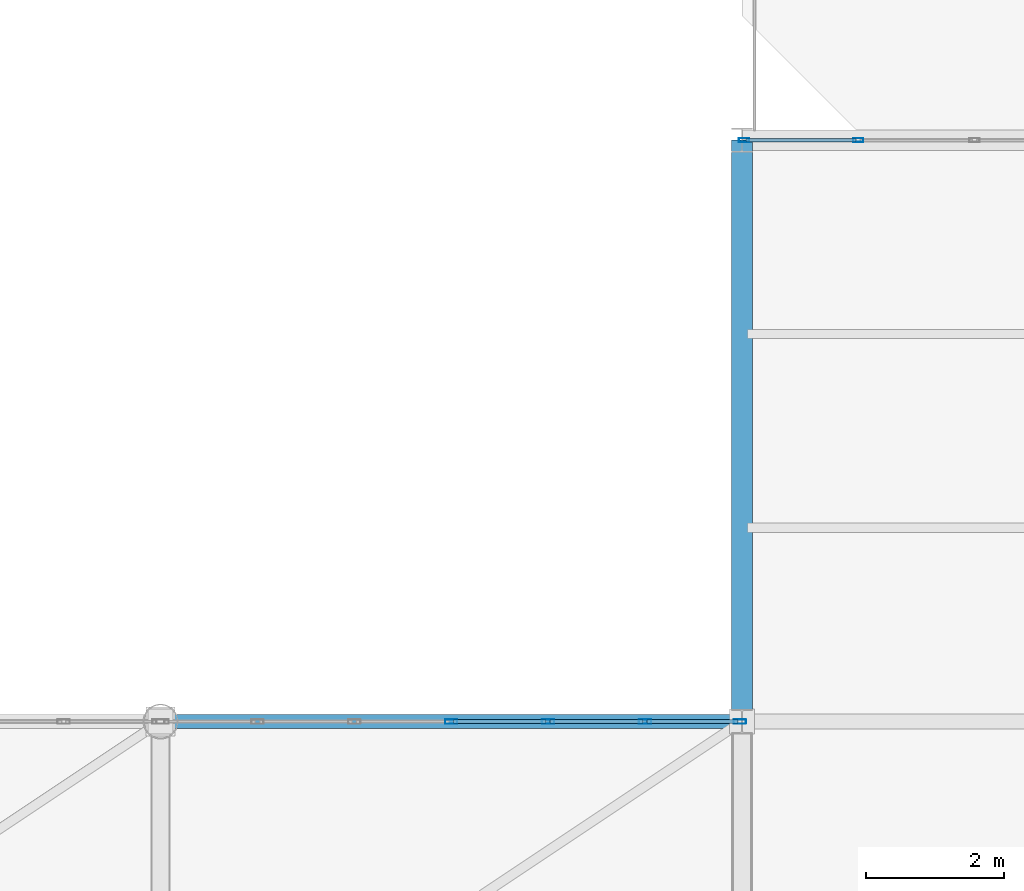
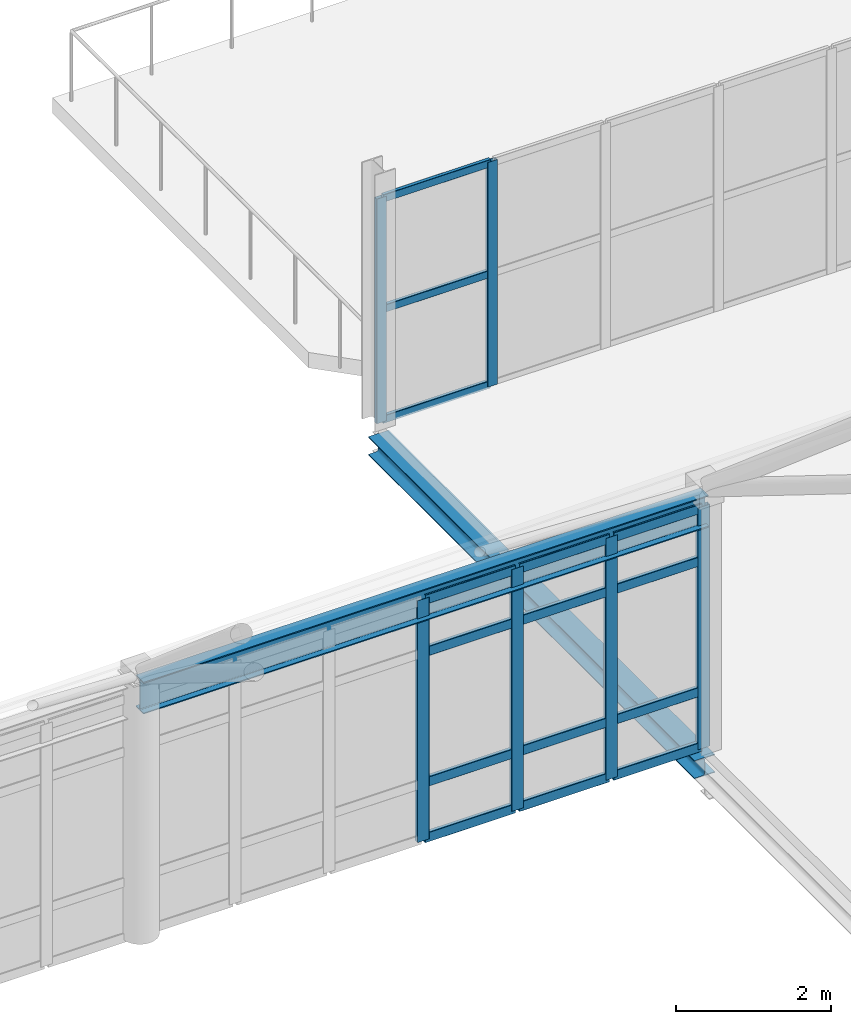
# One storey, part 98 of 184: 21 members, 2 beams, 2 elements without a shape of their own.
"""IFC4 building model written with IfcOpenShell, lengths in metres."""

from ifc_helpers import new_model, si_unit, direction, frame, origin, origin_2d, place, context, subcontext, project, spatial, hollow_rectangle, i_section, extrude, material, layer, layer_set, material_profile, profile_set, type_object, element, aggregate, save


model = new_model("IFC4")

# Units and contexts
model_context = context("Model", 3, precision=1e-05, world=origin(), true_north=direction((0.0, 1.0)))
body_context = subcontext(model_context, "Body", "Model", "MODEL_VIEW")
ifc_project = project(units=[si_unit("LENGTHUNIT", "METRE"), si_unit("AREAUNIT", "SQUARE_METRE"), si_unit("VOLUMEUNIT", "CUBIC_METRE"), si_unit("PLANEANGLEUNIT", "RADIAN"), si_unit("MASSUNIT", "GRAM", prefix="KILO")], contexts=[model_context])

# Site, building, storey
site_placement = place(None, origin())
site = spatial("IfcSite", under=ifc_project, at=site_placement, CompositionType="ELEMENT")
building_placement = place(site_placement, origin())
building = spatial("IfcBuilding", under=site, at=building_placement, Name="Qalvenar Corner Mobility Hub", CompositionType="ELEMENT")
storey_placement = place(building_placement, frame((0.0, 0.0, 9.0)))
storey = spatial("IfcBuildingStorey", under=building, at=storey_placement, Name="L02", CompositionType="ELEMENT", Elevation=9.0)

# Beams
ifc_material_1 = material(Name="Steel S355", Category="steel")
ifc_material_profile_1 = material_profile(ifc_material_1, i_section(OverallWidth=0.199951171875, OverallDepth=0.5, WebThickness=0.01025390625, FlangeThickness=0.01611328125, FilletRadius=0.02099609375, at=origin_2d()), Name="IPE500")
ifc_profile_set_1 = profile_set([ifc_material_profile_1], Name="Steel S355")
beam_type_1 = type_object("IfcBeamType", Name="BM-IPE500", PredefinedType="BEAM", material=ifc_profile_set_1)
beam_1_placement = place(storey_placement, frame((100.800048828125, 33.60009765625, 3.75), z_axis=(1.0, 0.0, 0.0), x_axis=(0.0, 1.0, 0.0)))
element("IfcBeam", 1, at=beam_1_placement, inside=storey, type_object=beam_type_1, Name="Space Frame Ring Beam SFRB-7-33", PredefinedType="BEAM", context=body_context, shape_type="SweptSolid", body=[
    extrude(i_section(OverallWidth=0.199951171875, OverallDepth=0.5, WebThickness=0.01025390625, FlangeThickness=0.01611328125, FilletRadius=0.02099609375, at=origin_2d()), origin(), (0.0, 0.0, 1.0), 8.39990234375),
])
ifc_material_profile_2 = material_profile(ifc_material_1, i_section(OverallWidth=0.300048828125, OverallDepth=0.2900390625, WebThickness=0.008544921875, FlangeThickness=0.013916015625, FilletRadius=0.027099609375, at=origin_2d()), Name="HEA300")
ifc_profile_set_2 = profile_set([ifc_material_profile_2], Name="Steel S355")
beam_type_2 = type_object("IfcBeamType", Name="BM-SPN300", PredefinedType="SPANDREL", material=ifc_profile_set_2)
beam_2_placement = place(storey_placement, frame((109.199951171875, 33.60009765625, -0.324951171875), z_axis=(0.0, 1.0, 0.0), x_axis=(-1.0, 0.0, 0.0)))
element("IfcBeam", 2, at=beam_2_placement, inside=storey, type_object=beam_type_2, Name="Primary Steel Girder GY-1715", PredefinedType="SPANDREL", context=body_context, shape_type="SweptSolid", body=[
    extrude(i_section(OverallWidth=0.300048828125, OverallDepth=0.2900390625, WebThickness=0.008544921875, FlangeThickness=0.013916015625, FilletRadius=0.027099609375, at=origin_2d()), origin(), (0.0, 0.0, 1.0), 8.39990234375),
])

# Curtain wall, members
ifc_material_2 = material(Name="Anodised Aluminium and Low-E Glazing", Category="aluminium")
ifc_layer_1 = layer(ifc_material_2, 0.14990234375)
ifc_layer_set_1 = layer_set([ifc_layer_1], Name="Anodised Aluminium and Low-E Glazing")
curtain_wall_type_1 = type_object("IfcCurtainWallType", Name="CW-WKS-84X44", PredefinedType="NOTDEFINED", material=ifc_layer_set_1)
curtain_wall_1_placement = place(storey_placement, origin())
curtain_wall_1 = element("IfcCurtainWall", 3, at=curtain_wall_1_placement, inside=storey, type_object=curtain_wall_type_1, Name="Glazed Curtain Wall CW-V6-L02-N0", PredefinedType="NOTDEFINED")
ifc_material_3 = material(Name="Anodised Aluminium 6063-T6", Category="aluminium")
ifc_material_profile_3 = material_profile(ifc_material_3, hollow_rectangle(XDim=0.06005859375, YDim=0.14990234375, WallThickness=0.00390625, InnerFilletRadius=0.00390625, OuterFilletRadius=0.008056640625, at=origin_2d()), Name="RHS150x60x4")
ifc_profile_set_3 = profile_set([ifc_material_profile_3], Name="Anodised Aluminium 6063-T6")
member_type_1 = type_object("IfcMemberType", Name="CW-MUL150", PredefinedType="MULLION", material=ifc_profile_set_3)
member_1_placement = place(storey_placement, frame((110.8798828125, 42.0, 0.0), z_axis=(0.0, 0.0, 1.0), x_axis=(0.0, -1.0, 0.0)))
member_1 = element("IfcMember", 4, at=member_1_placement, type_object=member_type_1, Name="CW-09 mullion 5", PredefinedType="MULLION", context=body_context, shape_type="SweptSolid", body=[
    extrude(hollow_rectangle(XDim=0.06005859375, YDim=0.14990234375, WallThickness=0.00390625, InnerFilletRadius=0.00390625, OuterFilletRadius=0.008056640625, at=origin_2d()), origin(), (0.0, 0.0, 1.0), 3.530029296875),
])
member_2_placement = place(storey_placement, frame((109.22998046875, 42.0, 0.0), z_axis=(0.0, 0.0, 1.0), x_axis=(0.0, -1.0, 0.0)))
member_2 = element("IfcMember", 5, at=member_2_placement, type_object=member_type_1, Name="CW-09 mullion 6", PredefinedType="MULLION", context=body_context, shape_type="SweptSolid", body=[
    extrude(hollow_rectangle(XDim=0.06005859375, YDim=0.14990234375, WallThickness=0.00390625, InnerFilletRadius=0.00390625, OuterFilletRadius=0.008056640625, at=origin_2d()), origin(), (0.0, 0.0, 1.0), 3.530029296875),
])

ifc_layer_2 = layer(ifc_material_2, 0.179931640625)
ifc_layer_set_2 = layer_set([ifc_layer_2], Name="Anodised Aluminium and Low-E Glazing")
curtain_wall_type_2 = type_object("IfcCurtainWallType", Name="CW-CONC-84X42", PredefinedType="NOTDEFINED", material=ifc_layer_set_2)
curtain_wall_2_placement = place(storey_placement, origin())
curtain_wall_2 = element("IfcCurtainWall", 6, at=curtain_wall_2_placement, inside=storey, type_object=curtain_wall_type_2, Name="Glazed Curtain Wall CW-V1-L02-N6", PredefinedType="NOTDEFINED")
ifc_material_profile_4 = material_profile(ifc_material_3, hollow_rectangle(XDim=0.06494140625, YDim=0.179931640625, WallThickness=0.00390625, InnerFilletRadius=0.00390625, OuterFilletRadius=0.008056640625, at=origin_2d()), Name="RHS180x65x4")
ifc_profile_set_4 = profile_set([ifc_material_profile_4], Name="Anodised Aluminium 6063-T6")
member_type_2 = type_object("IfcMemberType", Name="CW-MUL180", PredefinedType="MULLION", material=ifc_profile_set_4)
member_3_placement = place(storey_placement, frame((109.169921875, 33.60009765625, 0.0), z_axis=(0.0, 0.0, 1.0), x_axis=(0.0, -1.0, 0.0)))
member_3 = element("IfcMember", 7, at=member_3_placement, type_object=member_type_2, Name="CW-02 mullion 1", PredefinedType="MULLION", context=body_context, shape_type="SweptSolid", body=[
    extrude(hollow_rectangle(XDim=0.06494140625, YDim=0.179931640625, WallThickness=0.00390625, InnerFilletRadius=0.00390625, OuterFilletRadius=0.008056640625, at=origin_2d()), origin(), (0.0, 0.0, 1.0), 3.800048828125),
])
member_4_placement = place(storey_placement, frame((107.800048828125, 33.60009765625, 0.0), z_axis=(0.0, 0.0, 1.0), x_axis=(0.0, -1.0, 0.0)))
member_4 = element("IfcMember", 8, at=member_4_placement, type_object=member_type_2, Name="CW-02 mullion 2", PredefinedType="MULLION", context=body_context, shape_type="SweptSolid", body=[
    extrude(hollow_rectangle(XDim=0.06494140625, YDim=0.179931640625, WallThickness=0.00390625, InnerFilletRadius=0.00390625, OuterFilletRadius=0.008056640625, at=origin_2d()), origin(), (0.0, 0.0, 1.0), 3.800048828125),
])
member_5_placement = place(storey_placement, frame((106.39990234375, 33.60009765625, 0.0), z_axis=(0.0, 0.0, 1.0), x_axis=(0.0, -1.0, 0.0)))
member_5 = element("IfcMember", 9, at=member_5_placement, type_object=member_type_2, Name="CW-02 mullion 3", PredefinedType="MULLION", context=body_context, shape_type="SweptSolid", body=[
    extrude(hollow_rectangle(XDim=0.06494140625, YDim=0.179931640625, WallThickness=0.00390625, InnerFilletRadius=0.00390625, OuterFilletRadius=0.008056640625, at=origin_2d()), origin(), (0.0, 0.0, 1.0), 3.800048828125),
])
member_6_placement = place(storey_placement, frame((105.0, 33.60009765625, 0.0), z_axis=(0.0, 0.0, 1.0), x_axis=(0.0, -1.0, 0.0)))
member_6 = element("IfcMember", 10, at=member_6_placement, type_object=member_type_2, Name="CW-02 mullion 4", PredefinedType="MULLION", context=body_context, shape_type="SweptSolid", body=[
    extrude(hollow_rectangle(XDim=0.06494140625, YDim=0.179931640625, WallThickness=0.00390625, InnerFilletRadius=0.00390625, OuterFilletRadius=0.008056640625, at=origin_2d()), origin(), (0.0, 0.0, 1.0), 3.800048828125),
])

# Member
ifc_material_profile_5 = material_profile(ifc_material_3, hollow_rectangle(XDim=0.054931640625, YDim=0.1201171875, WallThickness=0.00341796875, InnerFilletRadius=0.00341796875, OuterFilletRadius=0.007080078125, at=origin_2d()), Name="RHS120x55x3.5")
ifc_profile_set_5 = profile_set([ifc_material_profile_5], Name="Anodised Aluminium 6063-T6")
member_type_3 = type_object("IfcMemberType", Name="CW-TRN120", PredefinedType="USERDEFINED", material=ifc_profile_set_5)
member_7_placement = place(storey_placement, frame((110.85009765625, 42.0, 0.027587890625), z_axis=(-1.0, 0.0, 0.0), x_axis=(0.0, -1.0, 0.0)))
member_7 = element("IfcMember", 11, at=member_7_placement, type_object=member_type_3, Name="CW-09 transom 5.1", ObjectType="TRANSOM", PredefinedType="USERDEFINED", context=body_context, shape_type="SweptSolid", body=[
    extrude(hollow_rectangle(XDim=0.054931640625, YDim=0.1201171875, WallThickness=0.00341796875, InnerFilletRadius=0.00341796875, OuterFilletRadius=0.007080078125, at=origin_2d()), origin(), (0.0, 0.0, 1.0), 1.590087890625),
])

member_8_placement = place(storey_placement, frame((110.85009765625, 42.0, 1.764892578125), z_axis=(-1.0, 0.0, 0.0), x_axis=(0.0, -1.0, 0.0)))
member_8 = element("IfcMember", 12, at=member_8_placement, type_object=member_type_3, Name="CW-09 transom 5.2", ObjectType="TRANSOM", PredefinedType="USERDEFINED", context=body_context, shape_type="SweptSolid", body=[
    extrude(hollow_rectangle(XDim=0.054931640625, YDim=0.1201171875, WallThickness=0.00341796875, InnerFilletRadius=0.00341796875, OuterFilletRadius=0.007080078125, at=origin_2d()), origin(), (0.0, 0.0, 1.0), 1.590087890625),
])

member_9_placement = place(storey_placement, frame((110.85009765625, 42.0, 3.50244140625), z_axis=(-1.0, 0.0, 0.0), x_axis=(0.0, -1.0, 0.0)))
member_9 = element("IfcMember", 13, at=member_9_placement, type_object=member_type_3, Name="CW-09 transom 5.3", ObjectType="TRANSOM", PredefinedType="USERDEFINED", context=body_context, shape_type="SweptSolid", body=[
    extrude(hollow_rectangle(XDim=0.054931640625, YDim=0.1201171875, WallThickness=0.00341796875, InnerFilletRadius=0.00341796875, OuterFilletRadius=0.007080078125, at=origin_2d()), origin(), (0.0, 0.0, 1.0), 1.590087890625),
])

aggregate(curtain_wall_1, [member_1, member_2, member_7, member_8, member_9])

ifc_material_profile_6 = material_profile(ifc_material_3, hollow_rectangle(XDim=0.06005859375, YDim=0.14990234375, WallThickness=0.00341796875, InnerFilletRadius=0.00341796875, OuterFilletRadius=0.007080078125, at=origin_2d()), Name="RHS150x60x3.5")
ifc_profile_set_6 = profile_set([ifc_material_profile_6], Name="Anodised Aluminium 6063-T6")
member_type_4 = type_object("IfcMemberType", Name="CW-TRN150", PredefinedType="USERDEFINED", material=ifc_profile_set_6)
member_10_placement = place(storey_placement, frame((109.139892578125, 33.60009765625, 0.027587890625), z_axis=(-1.0, 0.0, 0.0), x_axis=(0.0, -1.0, 0.0)))
member_10 = element("IfcMember", 14, at=member_10_placement, type_object=member_type_4, Name="CW-02 transom 1.1", ObjectType="TRANSOM", PredefinedType="USERDEFINED", context=body_context, shape_type="SweptSolid", body=[
    extrude(hollow_rectangle(XDim=0.06005859375, YDim=0.14990234375, WallThickness=0.00341796875, InnerFilletRadius=0.00341796875, OuterFilletRadius=0.007080078125, at=origin_2d()), origin(), (0.0, 0.0, 1.0), 1.309814453125),
])

member_11_placement = place(storey_placement, frame((109.139892578125, 33.60009765625, 0.89990234375), z_axis=(-1.0, 0.0, 0.0), x_axis=(0.0, -1.0, 0.0)))
member_11 = element("IfcMember", 15, at=member_11_placement, type_object=member_type_4, Name="CW-02 transom 1.2", ObjectType="TRANSOM", PredefinedType="USERDEFINED", context=body_context, shape_type="SweptSolid", body=[
    extrude(hollow_rectangle(XDim=0.06005859375, YDim=0.14990234375, WallThickness=0.00341796875, InnerFilletRadius=0.00341796875, OuterFilletRadius=0.007080078125, at=origin_2d()), origin(), (0.0, 0.0, 1.0), 1.309814453125),
])

member_12_placement = place(storey_placement, frame((109.139892578125, 33.60009765625, 2.949951171875), z_axis=(-1.0, 0.0, 0.0), x_axis=(0.0, -1.0, 0.0)))
member_12 = element("IfcMember", 16, at=member_12_placement, type_object=member_type_4, Name="CW-02 transom 1.3", ObjectType="TRANSOM", PredefinedType="USERDEFINED", context=body_context, shape_type="SweptSolid", body=[
    extrude(hollow_rectangle(XDim=0.06005859375, YDim=0.14990234375, WallThickness=0.00341796875, InnerFilletRadius=0.00341796875, OuterFilletRadius=0.007080078125, at=origin_2d()), origin(), (0.0, 0.0, 1.0), 1.309814453125),
])

member_13_placement = place(storey_placement, frame((109.139892578125, 33.60009765625, 3.7724609375), z_axis=(-1.0, 0.0, 0.0), x_axis=(0.0, -1.0, 0.0)))
member_13 = element("IfcMember", 17, at=member_13_placement, type_object=member_type_4, Name="CW-02 transom 1.4", ObjectType="TRANSOM", PredefinedType="USERDEFINED", context=body_context, shape_type="SweptSolid", body=[
    extrude(hollow_rectangle(XDim=0.06005859375, YDim=0.14990234375, WallThickness=0.00341796875, InnerFilletRadius=0.00341796875, OuterFilletRadius=0.007080078125, at=origin_2d()), origin(), (0.0, 0.0, 1.0), 1.309814453125),
])

member_14_placement = place(storey_placement, frame((107.77001953125, 33.60009765625, 0.027587890625), z_axis=(-1.0, 0.0, 0.0), x_axis=(0.0, -1.0, 0.0)))
member_14 = element("IfcMember", 18, at=member_14_placement, type_object=member_type_4, Name="CW-02 transom 2.1", ObjectType="TRANSOM", PredefinedType="USERDEFINED", context=body_context, shape_type="SweptSolid", body=[
    extrude(hollow_rectangle(XDim=0.06005859375, YDim=0.14990234375, WallThickness=0.00341796875, InnerFilletRadius=0.00341796875, OuterFilletRadius=0.007080078125, at=origin_2d()), origin(), (0.0, 0.0, 1.0), 1.340087890625),
])

member_15_placement = place(storey_placement, frame((107.77001953125, 33.60009765625, 0.89990234375), z_axis=(-1.0, 0.0, 0.0), x_axis=(0.0, -1.0, 0.0)))
member_15 = element("IfcMember", 19, at=member_15_placement, type_object=member_type_4, Name="CW-02 transom 2.2", ObjectType="TRANSOM", PredefinedType="USERDEFINED", context=body_context, shape_type="SweptSolid", body=[
    extrude(hollow_rectangle(XDim=0.06005859375, YDim=0.14990234375, WallThickness=0.00341796875, InnerFilletRadius=0.00341796875, OuterFilletRadius=0.007080078125, at=origin_2d()), origin(), (0.0, 0.0, 1.0), 1.340087890625),
])

member_16_placement = place(storey_placement, frame((107.77001953125, 33.60009765625, 2.949951171875), z_axis=(-1.0, 0.0, 0.0), x_axis=(0.0, -1.0, 0.0)))
member_16 = element("IfcMember", 20, at=member_16_placement, type_object=member_type_4, Name="CW-02 transom 2.3", ObjectType="TRANSOM", PredefinedType="USERDEFINED", context=body_context, shape_type="SweptSolid", body=[
    extrude(hollow_rectangle(XDim=0.06005859375, YDim=0.14990234375, WallThickness=0.00341796875, InnerFilletRadius=0.00341796875, OuterFilletRadius=0.007080078125, at=origin_2d()), origin(), (0.0, 0.0, 1.0), 1.340087890625),
])

member_17_placement = place(storey_placement, frame((107.77001953125, 33.60009765625, 3.7724609375), z_axis=(-1.0, 0.0, 0.0), x_axis=(0.0, -1.0, 0.0)))
member_17 = element("IfcMember", 21, at=member_17_placement, type_object=member_type_4, Name="CW-02 transom 2.4", ObjectType="TRANSOM", PredefinedType="USERDEFINED", context=body_context, shape_type="SweptSolid", body=[
    extrude(hollow_rectangle(XDim=0.06005859375, YDim=0.14990234375, WallThickness=0.00341796875, InnerFilletRadius=0.00341796875, OuterFilletRadius=0.007080078125, at=origin_2d()), origin(), (0.0, 0.0, 1.0), 1.340087890625),
])

member_18_placement = place(storey_placement, frame((106.3701171875, 33.60009765625, 0.027587890625), z_axis=(-1.0, 0.0, 0.0), x_axis=(0.0, -1.0, 0.0)))
member_18 = element("IfcMember", 22, at=member_18_placement, type_object=member_type_4, Name="CW-02 transom 3.1", ObjectType="TRANSOM", PredefinedType="USERDEFINED", context=body_context, shape_type="SweptSolid", body=[
    extrude(hollow_rectangle(XDim=0.06005859375, YDim=0.14990234375, WallThickness=0.00341796875, InnerFilletRadius=0.00341796875, OuterFilletRadius=0.007080078125, at=origin_2d()), origin(), (0.0, 0.0, 1.0), 1.340087890625),
])

member_19_placement = place(storey_placement, frame((106.3701171875, 33.60009765625, 0.89990234375), z_axis=(-1.0, 0.0, 0.0), x_axis=(0.0, -1.0, 0.0)))
member_19 = element("IfcMember", 23, at=member_19_placement, type_object=member_type_4, Name="CW-02 transom 3.2", ObjectType="TRANSOM", PredefinedType="USERDEFINED", context=body_context, shape_type="SweptSolid", body=[
    extrude(hollow_rectangle(XDim=0.06005859375, YDim=0.14990234375, WallThickness=0.00341796875, InnerFilletRadius=0.00341796875, OuterFilletRadius=0.007080078125, at=origin_2d()), origin(), (0.0, 0.0, 1.0), 1.340087890625),
])

member_20_placement = place(storey_placement, frame((106.3701171875, 33.60009765625, 2.949951171875), z_axis=(-1.0, 0.0, 0.0), x_axis=(0.0, -1.0, 0.0)))
member_20 = element("IfcMember", 24, at=member_20_placement, type_object=member_type_4, Name="CW-02 transom 3.3", ObjectType="TRANSOM", PredefinedType="USERDEFINED", context=body_context, shape_type="SweptSolid", body=[
    extrude(hollow_rectangle(XDim=0.06005859375, YDim=0.14990234375, WallThickness=0.00341796875, InnerFilletRadius=0.00341796875, OuterFilletRadius=0.007080078125, at=origin_2d()), origin(), (0.0, 0.0, 1.0), 1.340087890625),
])

member_21_placement = place(storey_placement, frame((106.3701171875, 33.60009765625, 3.7724609375), z_axis=(-1.0, 0.0, 0.0), x_axis=(0.0, -1.0, 0.0)))
member_21 = element("IfcMember", 25, at=member_21_placement, type_object=member_type_4, Name="CW-02 transom 3.4", ObjectType="TRANSOM", PredefinedType="USERDEFINED", context=body_context, shape_type="SweptSolid", body=[
    extrude(hollow_rectangle(XDim=0.06005859375, YDim=0.14990234375, WallThickness=0.00341796875, InnerFilletRadius=0.00341796875, OuterFilletRadius=0.007080078125, at=origin_2d()), origin(), (0.0, 0.0, 1.0), 1.340087890625),
])

aggregate(curtain_wall_2, [member_3, member_4, member_5, member_6, member_10, member_11, member_12, member_13, member_14, member_15, member_16, member_17, member_18, member_19, member_20, member_21])

save(model, "model.ifc")
